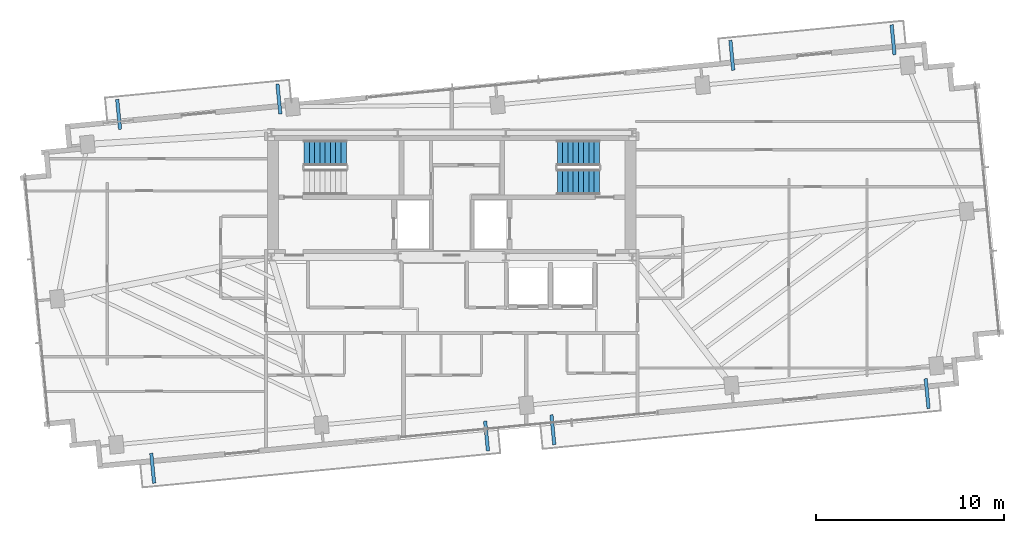
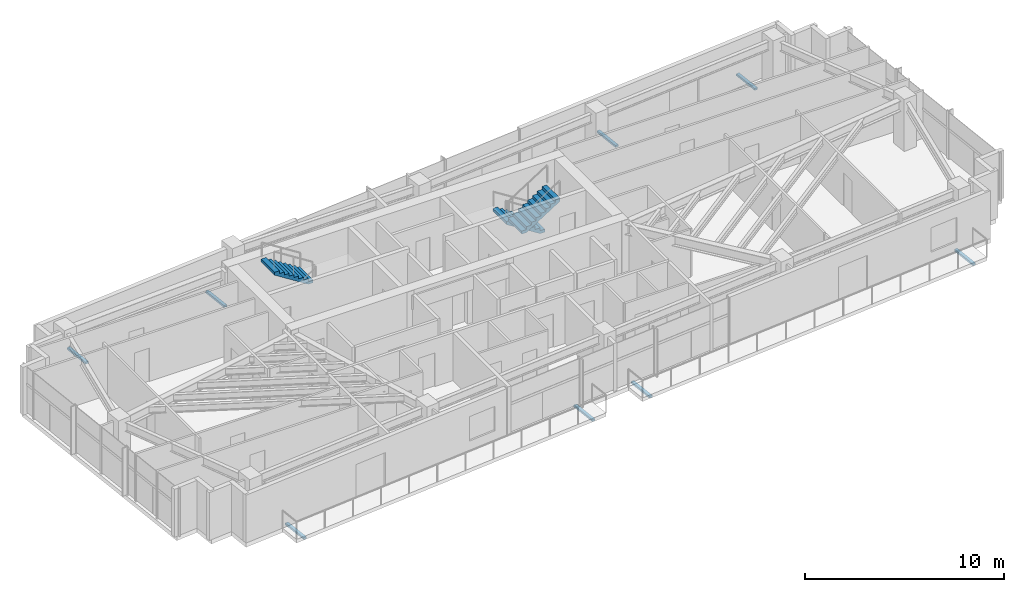
# One storey, part 16 of 18: 8 discrete accessories, 3 stair flights, 2 elements without a shape of their own.
"""IFC4 building model written with IfcOpenShell, lengths in metres."""

from ifc_helpers import new_model, si_unit, direction, frame, origin, origin_2d, place, context, subcontext, project, spatial, polyline, rectangle, outline, extrude, source, transform, mapped, material, type_object, type_shapes, element, aggregate, save


model = new_model("IFC4")

# Units and contexts
model_context = context("Model", 3, precision=1e-05, world=origin(), true_north=direction((0.0, 1.0)))
body_context = subcontext(model_context, "Body", "Model", "MODEL_VIEW")
ifc_project = project(units=[si_unit("LENGTHUNIT", "METRE"), si_unit("AREAUNIT", "SQUARE_METRE"), si_unit("VOLUMEUNIT", "CUBIC_METRE"), si_unit("PLANEANGLEUNIT", "RADIAN"), si_unit("MASSUNIT", "GRAM", prefix="KILO")], contexts=[model_context])

# Site, building, storey
site_placement = place(None, origin())
site = spatial("IfcSite", under=ifc_project, at=site_placement, CompositionType="ELEMENT")
building_placement = place(site_placement, origin())
building = spatial("IfcBuilding", under=site, at=building_placement, Name="Astriad Promenade Condominiums", CompositionType="ELEMENT")
storey_placement = place(building_placement, frame((0.0, 0.0, 198.60009765625)))
storey = spatial("IfcBuildingStorey", under=building, at=storey_placement, Name="L57", CompositionType="ELEMENT", Elevation=198.60009765625)

# Stair, stair flight
ifc_material_1 = material(Name="Concrete C50/60", Category="concrete")
stair_type = type_object("IfcStairType", Name="STR-CORE-1350", PredefinedType="HALF_TURN_STAIR", material=ifc_material_1)
stair_1_placement = place(storey_placement, origin())
stair_1 = element("IfcStair", 1, at=stair_1_placement, inside=storey, type_object=stair_type, Name="L57 Enclosed Core Exit Stair ST-1", PredefinedType="HALF_TURN_STAIR")
stair_flight_type = type_object("IfcStairFlightType", Name="SFL-CORE-1350", PredefinedType="STRAIGHT", material=ifc_material_1)
shared_shape_1 = source(origin(), body_context, "Body", "SweptSolid", [
    extrude(outline(polyline([(0.0, 0.0), (0.0, 0.177734375), (0.280029296875, 0.177734375), (0.280029296875, 0.35546875), (0.56005859375, 0.35546875), (0.56005859375, 0.533447265625), (0.840087890625, 0.533447265625), (0.840087890625, 0.711181640625), (1.1201171875, 0.711181640625), (1.1201171875, 0.888916015625), (1.39990234375, 0.888916015625), (1.39990234375, 1.066650390625), (1.679931640625, 1.066650390625), (1.679931640625, 1.244384765625), (1.9599609375, 1.244384765625), (1.9599609375, 1.422119140625), (2.239990234375, 1.422119140625), (2.239990234375, 1.60009765625), (2.239990234375, 1.24462890625), (0.27978515625, 0.0), (0.0, 0.0)])), frame((0.0, 0.675048828125, 0.0), z_axis=(0.0, -1.0, 0.0), x_axis=(1.0, 0.0, 0.0)), (0.0, 0.0, 1.0), 1.35009765625),
])
type_shapes(stair_flight_type, [shared_shape_1])
stair_flight_1_placement = place(storey_placement, frame((30.389892578125, 22.925048828125, 1.599853515625), z_axis=(0.0, 0.0, 1.0), x_axis=(-1.0, 0.0, 0.0)))
stair_flight_1 = element("IfcStairFlight", 2, at=stair_flight_1_placement, type_object=stair_flight_type, Name="ST-1 flight 2", NumberOfRisers=9, NumberOfTreads=8, PredefinedType="STRAIGHT", RiserHeight=0.177777778, TreadLength=0.28, context=body_context, shape_type="MappedRepresentation", body=[
    mapped(shared_shape_1, transform((0.0, 0.0, 0.0), scale=1.0)),
])
aggregate(stair_1, [stair_flight_1])

# Stair, stair flights
stair_2_placement = place(storey_placement, origin())
stair_2 = element("IfcStair", 3, at=stair_2_placement, inside=storey, type_object=stair_type, Name="L57 Enclosed Core Exit Stair ST-2", PredefinedType="HALF_TURN_STAIR")
stair_flight_2_placement = place(storey_placement, frame((43.85009765625, 22.925048828125, 0.0), z_axis=(0.0, 0.0, 1.0), x_axis=(-1.0, 0.0, 0.0)))
stair_flight_2 = element("IfcStairFlight", 4, at=stair_flight_2_placement, type_object=stair_flight_type, Name="ST-2 flight 1", NumberOfRisers=9, NumberOfTreads=8, PredefinedType="STRAIGHT", RiserHeight=0.177777778, TreadLength=0.28, context=body_context, shape_type="MappedRepresentation", body=[
    mapped(shared_shape_1, transform((0.0, 0.0, 0.0), scale=1.0)),
])
stair_flight_3_placement = place(storey_placement, frame((41.610107421875, 21.375, 1.599853515625), z_axis=(0.0, 0.0, 1.0), x_axis=(1.0, 0.0, 0.0)))
stair_flight_3 = element("IfcStairFlight", 5, at=stair_flight_3_placement, type_object=stair_flight_type, Name="ST-2 flight 2", NumberOfRisers=9, NumberOfTreads=8, PredefinedType="STRAIGHT", RiserHeight=0.177777778, TreadLength=0.28, context=body_context, shape_type="MappedRepresentation", body=[
    mapped(shared_shape_1, transform((0.0, 0.0, 0.0), scale=1.0)),
])
aggregate(stair_2, [stair_flight_2, stair_flight_3])

# Discrete accessories
ifc_material_2 = material(Name="Steel ASTM A572 Grade 50", Category="steel")
discrete_accessory_type = type_object("IfcDiscreteAccessoryType", Name="STEEL BALCONY OUTRIGGER BRACKET", PredefinedType="BRACKET", material=ifc_material_2)
shared_shape_2 = source(origin(), body_context, "Body", "SweptSolid", [
    extrude(rectangle(XDim=1.60009765625, YDim=0.179931640625, at=origin_2d()), origin(), (0.0, 0.0, 1.0), 0.1220703125),
])
type_shapes(discrete_accessory_type, [shared_shape_2])
for number, where, z_axis, x_axis, name in (
    (6, (20.100341796875, 6.167236328125, -0.340087890625), (0.0, 0.0, 1.0), (0.09584575252, -0.995396198367, 0.0), "Balcony Outrigger Bracket BAL-L57-SW-A"),
    (7, (37.84814453125, 7.876220703125, -0.340087890625), (0.0, 0.0, 1.0), (0.09584575252, -0.995396198367, 0.0), "Balcony Outrigger Bracket BAL-L57-SW-B"),
    (8, (41.372802734375, 8.215576171875, -0.340087890625), (0.0, 0.0, 1.0), (0.09584575252, -0.995396198367, 0.0), "Balcony Outrigger Bracket BAL-L57-SE-A"),
    (9, (61.268798828125, 10.13134765625, -0.340087890625), (0.0, 0.0, 1.0), (0.09584575252, -0.995396198367, 0.0), "Balcony Outrigger Bracket BAL-L57-SE-B"),
    (10, (18.288818359375, 24.980224609375, -0.340087890625), (0.0, 0.0, 1.0), (-0.09584575252, 0.995396198367, 0.0), "Balcony Outrigger Bracket BAL-L57-NW-A"),
    (11, (26.807373046875, 25.80029296875, -0.340087890625), (0.0, 0.0, 1.0), (-0.09584575252, 0.995396198367, 0.0), "Balcony Outrigger Bracket BAL-L57-NW-B"),
    (12, (50.885986328125, 28.118896484375, -0.340087890625), (0.0, 0.0, 1.0), (-0.09584575252, 0.995396198367, 0.0), "Balcony Outrigger Bracket BAL-L57-NE-A"),
    (13, (59.45751953125, 28.9443359375, -0.340087890625), (0.0, 0.0, 1.0), (-0.09584575252, 0.995396198367, 0.0), "Balcony Outrigger Bracket BAL-L57-NE-B"),
):
    element("IfcDiscreteAccessory", number, at=place(storey_placement, frame(where, z_axis=z_axis, x_axis=x_axis)), inside=storey, type_object=discrete_accessory_type, Name=name, PredefinedType="BRACKET", context=body_context, shape_type="MappedRepresentation", body=[
        mapped(shared_shape_2, transform((0.0, 0.0, 0.0), scale=1.0)),
    ])

save(model, "model.ifc")
